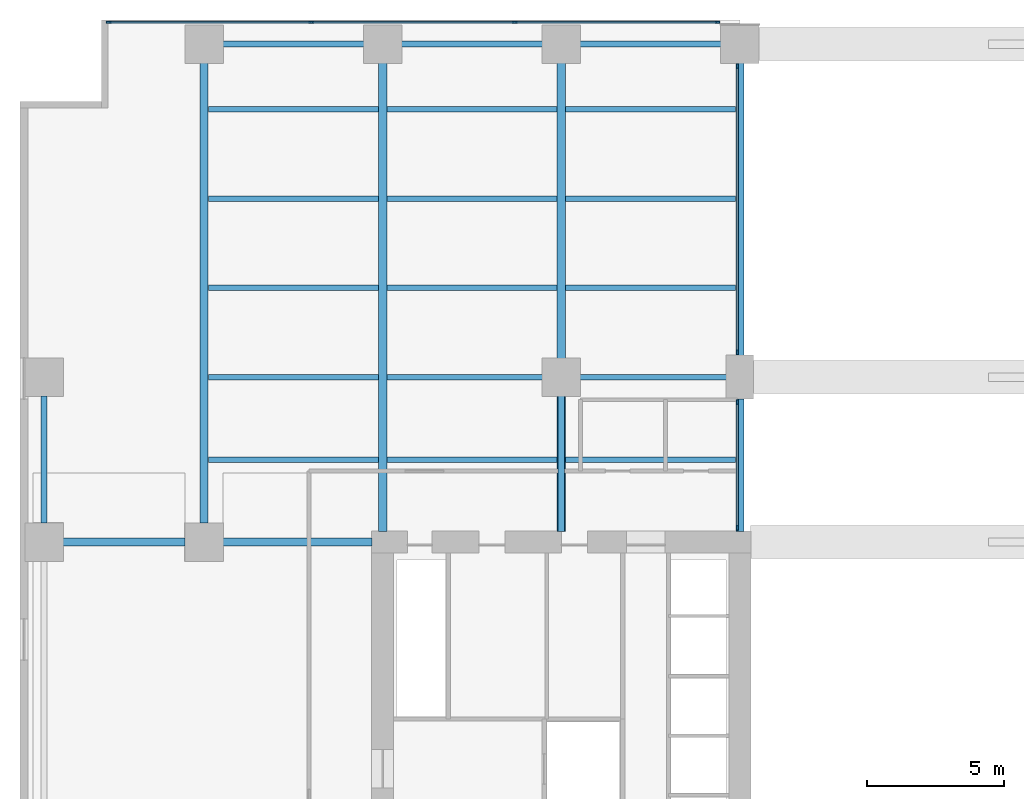
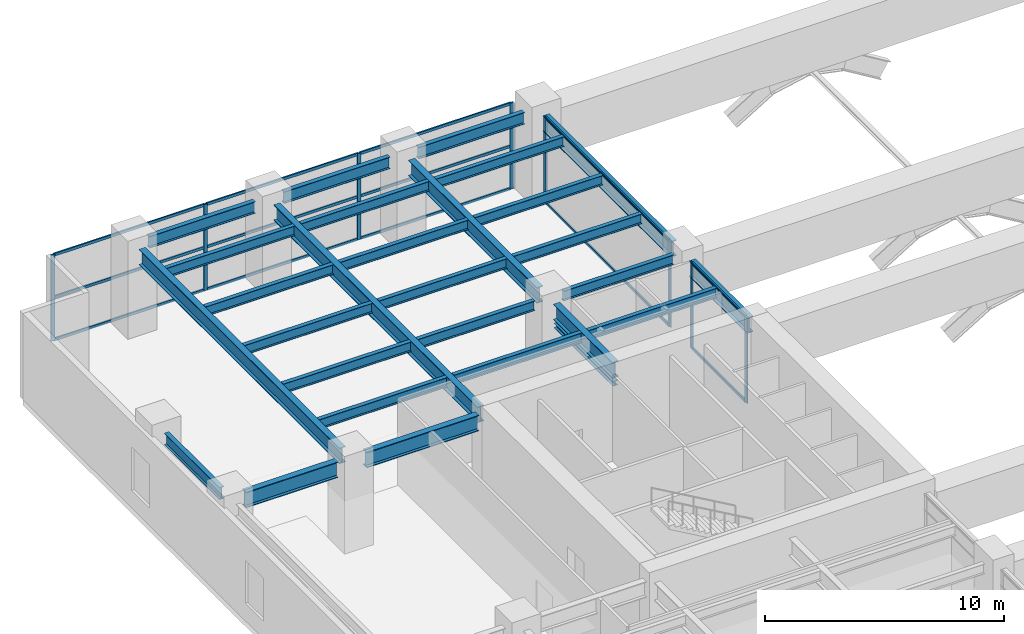
# One storey, part 6 of 23: 28 beams, 21 members, 3 elements without a shape of their own.
"""IFC4 building model written with IfcOpenShell, lengths in metres."""

from ifc_helpers import new_model, si_unit, direction, frame, origin, origin_2d, place, context, subcontext, project, spatial, rectangle, i_section, extrude, material, layer, layer_set, material_profile, profile_set, type_object, element, aggregate, save


model = new_model("IFC4")

# Units and contexts
model_context = context("Model", 3, precision=1e-05, world=origin(), true_north=direction((0.0, 1.0)))
body_context = subcontext(model_context, "Body", "Model", "MODEL_VIEW")
ifc_project = project(units=[si_unit("LENGTHUNIT", "METRE"), si_unit("AREAUNIT", "SQUARE_METRE"), si_unit("VOLUMEUNIT", "CUBIC_METRE"), si_unit("PLANEANGLEUNIT", "RADIAN"), si_unit("MASSUNIT", "GRAM", prefix="KILO")], contexts=[model_context])

# Site, building, storey
site_placement = place(None, origin())
site = spatial("IfcSite", under=ifc_project, at=site_placement, CompositionType="ELEMENT")
building_placement = place(site_placement, origin())
building = spatial("IfcBuilding", under=site, at=building_placement, Name="Putna Gate Headquarters", CompositionType="ELEMENT")
storey_placement = place(building_placement, frame((0.0, 0.0, 17.0)))
storey = spatial("IfcBuildingStorey", under=building, at=storey_placement, Name="L03", CompositionType="ELEMENT", Elevation=17.0)

# Beams
ifc_material_1 = material(Name="Steel S355J2", Category="steel")
ifc_material_profile_1 = material_profile(ifc_material_1, i_section(OverallWidth=0.300048828125, OverallDepth=0.800048828125, WebThickness=0.017578125, FlangeThickness=0.032958984375, at=origin_2d()), Name="Steel S355J2")
ifc_profile_set_1 = profile_set([ifc_material_profile_1], Name="Steel S355J2")
beam_type_1 = type_object("IfcBeamType", Name="BM-GIRD-P-HEB800", PredefinedType="USERDEFINED", material=ifc_profile_set_1)
beam_1_placement = place(storey_placement, frame((1.367919921875, 33.0, 4.0), z_axis=(1.0, 0.0, 0.0), x_axis=(0.0, 1.0, 0.0)))
element("IfcBeam", 1, at=beam_1_placement, inside=storey, type_object=beam_type_1, Name="L03 West Wing Girder Y33-1", ObjectType="GIRDER", PredefinedType="USERDEFINED", context=body_context, shape_type="SweptSolid", body=[
    extrude(i_section(OverallWidth=0.300048828125, OverallDepth=0.800048828125, WebThickness=0.017578125, FlangeThickness=0.032958984375, at=origin_2d()), origin(), (0.0, 0.0, 1.0), 4.444091796875),
])
beam_2_placement = place(storey_placement, frame((7.18798828125, 33.0, 4.0), z_axis=(1.0, 0.0, 0.0), x_axis=(0.0, 1.0, 0.0)))
element("IfcBeam", 2, at=beam_2_placement, inside=storey, type_object=beam_type_1, Name="L03 West Wing Girder Y33-2", ObjectType="GIRDER", PredefinedType="USERDEFINED", context=body_context, shape_type="SweptSolid", body=[
    extrude(i_section(OverallWidth=0.300048828125, OverallDepth=0.800048828125, WebThickness=0.017578125, FlangeThickness=0.032958984375, at=origin_2d()), origin(), (0.0, 0.0, 1.0), 5.427001953125),
])
beam_3_placement = place(storey_placement, frame((6.5, 33.68798828125, 4.0), z_axis=(0.0, 1.0, 0.0), x_axis=(-1.0, 0.0, 0.0)))
element("IfcBeam", 3, at=beam_3_placement, inside=storey, type_object=beam_type_1, Name="L03 North Primary Girder X6", ObjectType="GIRDER", PredefinedType="USERDEFINED", context=body_context, shape_type="SweptSolid", body=[
    extrude(i_section(OverallWidth=0.300048828125, OverallDepth=0.800048828125, WebThickness=0.017578125, FlangeThickness=0.032958984375, at=origin_2d()), origin(), (0.0, 0.0, 1.0), 16.743896484375),
])
beam_4_placement = place(storey_placement, frame((13.0, 33.385009765625, 4.0), z_axis=(0.0, 1.0, 0.0), x_axis=(-1.0, 0.0, 0.0)))
element("IfcBeam", 4, at=beam_4_placement, inside=storey, type_object=beam_type_1, Name="L03 North Primary Girder X13", ObjectType="GIRDER", PredefinedType="USERDEFINED", context=body_context, shape_type="SweptSolid", body=[
    extrude(i_section(OverallWidth=0.300048828125, OverallDepth=0.800048828125, WebThickness=0.017578125, FlangeThickness=0.032958984375, at=origin_2d()), origin(), (0.0, 0.0, 1.0), 17.046875),
])
beam_5_placement = place(storey_placement, frame((19.5, 33.385009765625, 4.0), z_axis=(0.0, 1.0, 0.0), x_axis=(-1.0, 0.0, 0.0)))
element("IfcBeam", 5, at=beam_5_placement, inside=storey, type_object=beam_type_1, Name="L03 North Primary Girder X19-1", ObjectType="GIRDER", PredefinedType="USERDEFINED", context=body_context, shape_type="SweptSolid", body=[
    extrude(i_section(OverallWidth=0.300048828125, OverallDepth=0.800048828125, WebThickness=0.017578125, FlangeThickness=0.032958984375, at=origin_2d()), origin(), (0.0, 0.0, 1.0), 4.927001953125),
])
beam_6_placement = place(storey_placement, frame((19.5, 39.68798828125, 4.0), z_axis=(0.0, 1.0, 0.0), x_axis=(-1.0, 0.0, 0.0)))
element("IfcBeam", 6, at=beam_6_placement, inside=storey, type_object=beam_type_1, Name="L03 North Primary Girder X19-2", ObjectType="GIRDER", PredefinedType="USERDEFINED", context=body_context, shape_type="SweptSolid", body=[
    extrude(i_section(OverallWidth=0.300048828125, OverallDepth=0.800048828125, WebThickness=0.017578125, FlangeThickness=0.032958984375, at=origin_2d()), origin(), (0.0, 0.0, 1.0), 10.743896484375),
])
beam_7_placement = place(storey_placement, frame((26.0, 33.385009765625, 4.0), z_axis=(0.0, 1.0, 0.0), x_axis=(-1.0, 0.0, 0.0)))
element("IfcBeam", 7, at=beam_7_placement, inside=storey, type_object=beam_type_1, Name="L03 North Primary Girder X26-1", ObjectType="GIRDER", PredefinedType="USERDEFINED", context=body_context, shape_type="SweptSolid", body=[
    extrude(i_section(OverallWidth=0.300048828125, OverallDepth=0.800048828125, WebThickness=0.017578125, FlangeThickness=0.032958984375, at=origin_2d()), origin(), (0.0, 0.0, 1.0), 4.826904296875),
])
beam_8_placement = place(storey_placement, frame((26.0, 39.7880859375, 4.0), z_axis=(0.0, 1.0, 0.0), x_axis=(-1.0, 0.0, 0.0)))
element("IfcBeam", 8, at=beam_8_placement, inside=storey, type_object=beam_type_1, Name="L03 North Primary Girder X26-2", ObjectType="GIRDER", PredefinedType="USERDEFINED", context=body_context, shape_type="SweptSolid", body=[
    extrude(i_section(OverallWidth=0.300048828125, OverallDepth=0.800048828125, WebThickness=0.017578125, FlangeThickness=0.032958984375, at=origin_2d()), origin(), (0.0, 0.0, 1.0), 10.643798828125),
])
ifc_material_profile_2 = material_profile(ifc_material_1, i_section(OverallWidth=0.239990234375, OverallDepth=0.239990234375, WebThickness=0.010009765625, FlangeThickness=0.01708984375, at=origin_2d()), Name="Steel S355J2")
ifc_profile_set_2 = profile_set([ifc_material_profile_2], Name="Steel S355J2")
beam_type_2 = type_object("IfcBeamType", Name="BM-LINTEL-HEB240", PredefinedType="LINTEL", material=ifc_profile_set_2)
beam_9_placement = place(storey_placement, frame((19.5, 33.3798828125, 3.300048828125), z_axis=(0.0, 1.0, 0.0), x_axis=(-1.0, 0.0, 0.0)))
element("IfcBeam", 9, at=beam_9_placement, inside=storey, type_object=beam_type_2, Name="L03 Core Spine Portal Header Lintel W", PredefinedType="LINTEL", context=body_context, shape_type="SweptSolid", body=[
    extrude(i_section(OverallWidth=0.239990234375, OverallDepth=0.239990234375, WebThickness=0.010009765625, FlangeThickness=0.01708984375, at=origin_2d()), origin(), (0.0, 0.0, 1.0), 4.940185546875),
])
ifc_material_profile_3 = material_profile(ifc_material_1, i_section(OverallWidth=0.199951171875, OverallDepth=0.5, WebThickness=0.01025390625, FlangeThickness=0.01611328125, at=origin_2d()), Name="Steel S355J2")
ifc_profile_set_3 = profile_set([ifc_material_profile_3], Name="Steel S355J2")
beam_type_3 = type_object("IfcBeamType", Name="BM-SEC-P-IPE500", PredefinedType="BEAM", material=ifc_profile_set_3)
for number, where, z_axis, x_axis, name in (
    (10, (6.654052734375, 36.0, 4.14990234375), (1.0, 0.0, 0.0), (0.0, 1.0, 0.0), "L03 North Secondary Beam 1"),
    (11, (6.654052734375, 39.0, 4.14990234375), (1.0, 0.0, 0.0), (0.0, 1.0, 0.0), "L03 North Secondary Beam 1"),
    (12, (6.654052734375, 42.25, 4.14990234375), (1.0, 0.0, 0.0), (0.0, 1.0, 0.0), "L03 North Secondary Beam 1"),
    (13, (6.654052734375, 45.5, 4.14990234375), (1.0, 0.0, 0.0), (0.0, 1.0, 0.0), "L03 North Secondary Beam 1"),
    (14, (6.654052734375, 48.75, 4.14990234375), (1.0, 0.0, 0.0), (0.0, 1.0, 0.0), "L03 North Secondary Beam 1"),
    (15, (13.154052734375, 36.0, 4.14990234375), (1.0, 0.0, 0.0), (0.0, 1.0, 0.0), "L03 North Secondary Beam 2"),
):
    element("IfcBeam", number, at=place(storey_placement, frame(where, z_axis=z_axis, x_axis=x_axis)), inside=storey, type_object=beam_type_3, Name=name, PredefinedType="BEAM", context=body_context, shape_type="SweptSolid", body=[
        extrude(i_section(OverallWidth=0.199951171875, OverallDepth=0.5, WebThickness=0.01025390625, FlangeThickness=0.01611328125, at=origin_2d()), origin(), (0.0, 0.0, 1.0), 6.19189453125),
    ])
beam_10_placement = place(storey_placement, frame((13.154052734375, 39.0, 4.14990234375), z_axis=(1.0, 0.0, 0.0), x_axis=(0.0, 1.0, 0.0)))
element("IfcBeam", 16, at=beam_10_placement, inside=storey, type_object=beam_type_3, Name="L03 North Secondary Beam 2", PredefinedType="BEAM", context=body_context, shape_type="SweptSolid", body=[
    extrude(i_section(OverallWidth=0.199951171875, OverallDepth=0.5, WebThickness=0.01025390625, FlangeThickness=0.01611328125, at=origin_2d()), origin(), (0.0, 0.0, 1.0), 5.657958984375),
])
for number, where, z_axis, x_axis, name in (
    (17, (13.154052734375, 42.25, 4.14990234375), (1.0, 0.0, 0.0), (0.0, 1.0, 0.0), "L03 North Secondary Beam 2"),
    (18, (13.154052734375, 45.5, 4.14990234375), (1.0, 0.0, 0.0), (0.0, 1.0, 0.0), "L03 North Secondary Beam 2"),
    (19, (13.154052734375, 48.75, 4.14990234375), (1.0, 0.0, 0.0), (0.0, 1.0, 0.0), "L03 North Secondary Beam 2"),
    (20, (19.654052734375, 36.0, 4.14990234375), (1.0, 0.0, 0.0), (0.0, 1.0, 0.0), "L03 North Secondary Beam 3"),
):
    element("IfcBeam", number, at=place(storey_placement, frame(where, z_axis=z_axis, x_axis=x_axis)), inside=storey, type_object=beam_type_3, Name=name, PredefinedType="BEAM", context=body_context, shape_type="SweptSolid", body=[
        extrude(i_section(OverallWidth=0.199951171875, OverallDepth=0.5, WebThickness=0.01025390625, FlangeThickness=0.01611328125, at=origin_2d()), origin(), (0.0, 0.0, 1.0), 6.19189453125),
    ])
beam_11_placement = place(storey_placement, frame((20.18798828125, 39.0, 4.14990234375), z_axis=(1.0, 0.0, 0.0), x_axis=(0.0, 1.0, 0.0)))
element("IfcBeam", 21, at=beam_11_placement, inside=storey, type_object=beam_type_3, Name="L03 North Secondary Beam 3", PredefinedType="BEAM", context=body_context, shape_type="SweptSolid", body=[
    extrude(i_section(OverallWidth=0.199951171875, OverallDepth=0.5, WebThickness=0.01025390625, FlangeThickness=0.01611328125, at=origin_2d()), origin(), (0.0, 0.0, 1.0), 5.323974609375),
])
for number, where, z_axis, x_axis, name in (
    (22, (19.654052734375, 42.25, 4.14990234375), (1.0, 0.0, 0.0), (0.0, 1.0, 0.0), "L03 North Secondary Beam 3"),
    (23, (19.654052734375, 45.5, 4.14990234375), (1.0, 0.0, 0.0), (0.0, 1.0, 0.0), "L03 North Secondary Beam 3"),
    (24, (19.654052734375, 48.75, 4.14990234375), (1.0, 0.0, 0.0), (0.0, 1.0, 0.0), "L03 North Secondary Beam 3"),
):
    element("IfcBeam", number, at=place(storey_placement, frame(where, z_axis=z_axis, x_axis=x_axis)), inside=storey, type_object=beam_type_3, Name=name, PredefinedType="BEAM", context=body_context, shape_type="SweptSolid", body=[
        extrude(i_section(OverallWidth=0.199951171875, OverallDepth=0.5, WebThickness=0.01025390625, FlangeThickness=0.01611328125, at=origin_2d()), origin(), (0.0, 0.0, 1.0), 6.19189453125),
    ])
ifc_material_profile_4 = material_profile(ifc_material_1, i_section(OverallWidth=0.219970703125, OverallDepth=0.60009765625, WebThickness=0.011962890625, FlangeThickness=0.01904296875, at=origin_2d()), Name="Steel S355J2")
ifc_profile_set_4 = profile_set([ifc_material_profile_4], Name="Steel S355J2")
beam_type_4 = type_object("IfcBeamType", Name="BM-SPAN-P-IPE600", PredefinedType="SPANDREL", material=ifc_profile_set_4)
for number, where, z_axis, x_axis, name in (
    (25, (7.18798828125, 51.1201171875, 4.10009765625), (1.0, 0.0, 0.0), (0.0, 1.0, 0.0), "L03 N Perimeter Spandrel 1"),
    (26, (13.68798828125, 51.1201171875, 4.10009765625), (1.0, 0.0, 0.0), (0.0, 1.0, 0.0), "L03 N Perimeter Spandrel 2"),
    (27, (20.18798828125, 51.1201171875, 4.10009765625), (1.0, 0.0, 0.0), (0.0, 1.0, 0.0), "L03 N Perimeter Spandrel 3"),
):
    element("IfcBeam", number, at=place(storey_placement, frame(where, z_axis=z_axis, x_axis=x_axis)), inside=storey, type_object=beam_type_4, Name=name, PredefinedType="SPANDREL", context=body_context, shape_type="SweptSolid", body=[
        extrude(i_section(OverallWidth=0.219970703125, OverallDepth=0.60009765625, WebThickness=0.011962890625, FlangeThickness=0.01904296875, at=origin_2d()), origin(), (0.0, 0.0, 1.0), 5.1240234375),
    ])
beam_12_placement = place(storey_placement, frame((0.679931640625, 33.68798828125, 4.10009765625), z_axis=(0.0, 1.0, 0.0), x_axis=(-1.0, 0.0, 0.0)))
element("IfcBeam", 28, at=beam_12_placement, inside=storey, type_object=beam_type_4, Name="L03 W End Spandrel 3", PredefinedType="SPANDREL", context=body_context, shape_type="SweptSolid", body=[
    extrude(i_section(OverallWidth=0.219970703125, OverallDepth=0.60009765625, WebThickness=0.011962890625, FlangeThickness=0.01904296875, at=origin_2d()), origin(), (0.0, 0.0, 1.0), 4.6240234375),
])

# Curtain wall, members
ifc_material_2 = material(Name="Anodised bronze aluminium curtain wall", Category="aluminium")
ifc_layer_1 = layer(ifc_material_2, 0.179931640625)
ifc_layer_set_1 = layer_set([ifc_layer_1], Name="Anodised bronze aluminium curtain wall")
curtain_wall_type_1 = type_object("IfcCurtainWallType", Name="CW-SYS-ATR", PredefinedType="USERDEFINED", material=ifc_layer_set_1)
curtain_wall_1_placement = place(storey_placement, origin())
curtain_wall_1 = element("IfcCurtainWall", 29, at=curtain_wall_1_placement, inside=storey, type_object=curtain_wall_type_1, Name="L03 Arch Flank Glazing W-N1", ObjectType="ATRIUM GLAZING", PredefinedType="USERDEFINED")
ifc_material_3 = material(Name="Anodised bronze aluminium EN AW-6060", Category="aluminium")
ifc_material_profile_5 = material_profile(ifc_material_3, rectangle(XDim=0.070068359375, YDim=0.179931640625, at=origin_2d()), Name="Anodised bronze aluminium EN AW-6060")
ifc_profile_set_5 = profile_set([ifc_material_profile_5], Name="Anodised bronze aluminium EN AW-6060")
member_type_1 = type_object("IfcMemberType", Name="MULL-CWM-AT", PredefinedType="MULLION", material=ifc_profile_set_5)
member_1_placement = place(storey_placement, frame((25.89990234375, 33.514892578125, 0.0), z_axis=(0.0, 0.0, 1.0), x_axis=(-1.0, 0.0, 0.0)))
member_1 = element("IfcMember", 30, at=member_1_placement, type_object=member_type_1, Name="CWS-AT mullion 1", PredefinedType="MULLION", context=body_context, shape_type="SweptSolid", body=[
    extrude(rectangle(XDim=0.070068359375, YDim=0.179931640625, at=origin_2d()), origin(), (0.0, 0.0, 1.0), 4.39990234375),
])
member_2_placement = place(storey_placement, frame((25.89990234375, 38.0849609375, 0.0), z_axis=(0.0, 0.0, 1.0), x_axis=(-1.0, 0.0, 0.0)))
member_2 = element("IfcMember", 31, at=member_2_placement, type_object=member_type_1, Name="CWS-AT mullion 2", PredefinedType="MULLION", context=body_context, shape_type="SweptSolid", body=[
    extrude(rectangle(XDim=0.070068359375, YDim=0.179931640625, at=origin_2d()), origin(), (0.0, 0.0, 1.0), 4.39990234375),
])

curtain_wall_2_placement = place(storey_placement, origin())
curtain_wall_2 = element("IfcCurtainWall", 32, at=curtain_wall_2_placement, inside=storey, type_object=curtain_wall_type_1, Name="L03 Arch Flank Glazing W-N2", ObjectType="ATRIUM GLAZING", PredefinedType="USERDEFINED")
member_3_placement = place(storey_placement, frame((25.89990234375, 39.9150390625, 0.0), z_axis=(0.0, 0.0, 1.0), x_axis=(-1.0, 0.0, 0.0)))
member_3 = element("IfcMember", 33, at=member_3_placement, type_object=member_type_1, Name="CWS-AT mullion 1", PredefinedType="MULLION", context=body_context, shape_type="SweptSolid", body=[
    extrude(rectangle(XDim=0.070068359375, YDim=0.179931640625, at=origin_2d()), origin(), (0.0, 0.0, 1.0), 4.39990234375),
])
member_4_placement = place(storey_placement, frame((25.89990234375, 50.31494140625, 0.0), z_axis=(0.0, 0.0, 1.0), x_axis=(-1.0, 0.0, 0.0)))
member_4 = element("IfcMember", 34, at=member_4_placement, type_object=member_type_1, Name="CWS-AT mullion 2", PredefinedType="MULLION", context=body_context, shape_type="SweptSolid", body=[
    extrude(rectangle(XDim=0.070068359375, YDim=0.179931640625, at=origin_2d()), origin(), (0.0, 0.0, 1.0), 4.39990234375),
])

ifc_layer_2 = layer(ifc_material_2, 0.179931640625)
ifc_layer_set_2 = layer_set([ifc_layer_2], Name="Anodised bronze aluminium curtain wall")
curtain_wall_type_2 = type_object("IfcCurtainWallType", Name="CW-SYS-POD", PredefinedType="USERDEFINED", material=ifc_layer_set_2)
curtain_wall_3_placement = place(storey_placement, origin())
curtain_wall_3 = element("IfcCurtainWall", 35, at=curtain_wall_3_placement, inside=storey, type_object=curtain_wall_type_2, Name="L03 North West Curtain Wall", ObjectType="STICK CURTAIN WALL", PredefinedType="USERDEFINED")
ifc_material_profile_6 = material_profile(ifc_material_3, rectangle(XDim=0.070068359375, YDim=0.179931640625, at=origin_2d()), Name="Anodised bronze aluminium EN AW-6060")
ifc_profile_set_6 = profile_set([ifc_material_profile_6], Name="Anodised bronze aluminium EN AW-6060")
member_type_2 = type_object("IfcMemberType", Name="MULL-CWM-P", PredefinedType="MULLION", material=ifc_profile_set_6)
member_5_placement = place(storey_placement, frame((3.034912109375, 51.919921875, 0.0), z_axis=(0.0, 0.0, 1.0), x_axis=(0.0, 1.0, 0.0)))
member_5 = element("IfcMember", 36, at=member_5_placement, type_object=member_type_2, Name="CWS-P mullion 1", PredefinedType="MULLION", context=body_context, shape_type="SweptSolid", body=[
    extrude(rectangle(XDim=0.070068359375, YDim=0.179931640625, at=origin_2d()), origin(), (0.0, 0.0, 1.0), 4.39990234375),
])
member_6_placement = place(storey_placement, frame((10.40673828125, 51.919921875, 0.0), z_axis=(0.0, 0.0, 1.0), x_axis=(0.0, 1.0, 0.0)))
member_6 = element("IfcMember", 37, at=member_6_placement, type_object=member_type_2, Name="CWS-P mullion 2", PredefinedType="MULLION", context=body_context, shape_type="SweptSolid", body=[
    extrude(rectangle(XDim=0.070068359375, YDim=0.179931640625, at=origin_2d()), origin(), (0.0, 0.0, 1.0), 4.39990234375),
])
member_7_placement = place(storey_placement, frame((17.813232421875, 51.919921875, 0.0), z_axis=(0.0, 0.0, 1.0), x_axis=(0.0, 1.0, 0.0)))
member_7 = element("IfcMember", 38, at=member_7_placement, type_object=member_type_2, Name="CWS-P mullion 3", PredefinedType="MULLION", context=body_context, shape_type="SweptSolid", body=[
    extrude(rectangle(XDim=0.070068359375, YDim=0.179931640625, at=origin_2d()), origin(), (0.0, 0.0, 1.0), 4.39990234375),
])
member_8_placement = place(storey_placement, frame((25.18505859375, 51.919921875, 0.0), z_axis=(0.0, 0.0, 1.0), x_axis=(0.0, 1.0, 0.0)))
member_8 = element("IfcMember", 39, at=member_8_placement, type_object=member_type_2, Name="CWS-P mullion 4", PredefinedType="MULLION", context=body_context, shape_type="SweptSolid", body=[
    extrude(rectangle(XDim=0.070068359375, YDim=0.179931640625, at=origin_2d()), origin(), (0.0, 0.0, 1.0), 4.39990234375),
])

# Member
ifc_material_profile_7 = material_profile(ifc_material_3, rectangle(XDim=0.070068359375, YDim=0.139892578125, at=origin_2d()), Name="Anodised bronze aluminium EN AW-6060")
ifc_profile_set_7 = profile_set([ifc_material_profile_7], Name="Anodised bronze aluminium EN AW-6060")
member_type_3 = type_object("IfcMemberType", Name="TRAN-CWT-AT", PredefinedType="USERDEFINED", material=ifc_profile_set_7)
member_9_placement = place(storey_placement, frame((25.89990234375, 33.550048828125, 0.034912109375), z_axis=(0.0, 1.0, 0.0), x_axis=(-1.0, 0.0, 0.0)))
member_9 = element("IfcMember", 40, at=member_9_placement, type_object=member_type_3, Name="CWS-AT transom 1.1", ObjectType="TRANSOM", PredefinedType="USERDEFINED", context=body_context, shape_type="SweptSolid", body=[
    extrude(rectangle(XDim=0.070068359375, YDim=0.139892578125, at=origin_2d()), origin(), (0.0, 0.0, 1.0), 4.5),
])

member_10_placement = place(storey_placement, frame((25.89990234375, 33.550048828125, 4.364990234375), z_axis=(0.0, 1.0, 0.0), x_axis=(-1.0, 0.0, 0.0)))
member_10 = element("IfcMember", 41, at=member_10_placement, type_object=member_type_3, Name="CWS-AT transom 1.2", ObjectType="TRANSOM", PredefinedType="USERDEFINED", context=body_context, shape_type="SweptSolid", body=[
    extrude(rectangle(XDim=0.070068359375, YDim=0.139892578125, at=origin_2d()), origin(), (0.0, 0.0, 1.0), 4.5),
])

aggregate(curtain_wall_1, [member_1, member_2, member_9, member_10])

member_11_placement = place(storey_placement, frame((25.89990234375, 39.949951171875, 0.034912109375), z_axis=(0.0, 1.0, 0.0), x_axis=(-1.0, 0.0, 0.0)))
member_11 = element("IfcMember", 42, at=member_11_placement, type_object=member_type_3, Name="CWS-AT transom 1.1", ObjectType="TRANSOM", PredefinedType="USERDEFINED", context=body_context, shape_type="SweptSolid", body=[
    extrude(rectangle(XDim=0.070068359375, YDim=0.139892578125, at=origin_2d()), origin(), (0.0, 0.0, 1.0), 10.330078125),
])

member_12_placement = place(storey_placement, frame((25.89990234375, 39.949951171875, 4.364990234375), z_axis=(0.0, 1.0, 0.0), x_axis=(-1.0, 0.0, 0.0)))
member_12 = element("IfcMember", 43, at=member_12_placement, type_object=member_type_3, Name="CWS-AT transom 1.2", ObjectType="TRANSOM", PredefinedType="USERDEFINED", context=body_context, shape_type="SweptSolid", body=[
    extrude(rectangle(XDim=0.070068359375, YDim=0.139892578125, at=origin_2d()), origin(), (0.0, 0.0, 1.0), 10.330078125),
])

aggregate(curtain_wall_2, [member_3, member_4, member_11, member_12])

ifc_material_profile_8 = material_profile(ifc_material_3, rectangle(XDim=0.070068359375, YDim=0.139892578125, at=origin_2d()), Name="Anodised bronze aluminium EN AW-6060")
ifc_profile_set_8 = profile_set([ifc_material_profile_8], Name="Anodised bronze aluminium EN AW-6060")
member_type_4 = type_object("IfcMemberType", Name="TRAN-CWT-P", PredefinedType="USERDEFINED", material=ifc_profile_set_8)
member_13_placement = place(storey_placement, frame((3.070068359375, 51.919921875, 0.034912109375), z_axis=(1.0, 0.0, 0.0), x_axis=(0.0, 1.0, 0.0)))
member_13 = element("IfcMember", 44, at=member_13_placement, type_object=member_type_4, Name="CWS-P transom 1.1", ObjectType="TRANSOM", PredefinedType="USERDEFINED", context=body_context, shape_type="SweptSolid", body=[
    extrude(rectangle(XDim=0.070068359375, YDim=0.139892578125, at=origin_2d()), origin(), (0.0, 0.0, 1.0), 7.301513671875),
])

member_14_placement = place(storey_placement, frame((3.070068359375, 51.919921875, 2.199951171875), z_axis=(1.0, 0.0, 0.0), x_axis=(0.0, 1.0, 0.0)))
member_14 = element("IfcMember", 45, at=member_14_placement, type_object=member_type_4, Name="CWS-P transom 1.2", ObjectType="TRANSOM", PredefinedType="USERDEFINED", context=body_context, shape_type="SweptSolid", body=[
    extrude(rectangle(XDim=0.070068359375, YDim=0.139892578125, at=origin_2d()), origin(), (0.0, 0.0, 1.0), 7.301513671875),
])

member_15_placement = place(storey_placement, frame((3.070068359375, 51.919921875, 4.364990234375), z_axis=(1.0, 0.0, 0.0), x_axis=(0.0, 1.0, 0.0)))
member_15 = element("IfcMember", 46, at=member_15_placement, type_object=member_type_4, Name="CWS-P transom 1.3", ObjectType="TRANSOM", PredefinedType="USERDEFINED", context=body_context, shape_type="SweptSolid", body=[
    extrude(rectangle(XDim=0.070068359375, YDim=0.139892578125, at=origin_2d()), origin(), (0.0, 0.0, 1.0), 7.301513671875),
])

member_16_placement = place(storey_placement, frame((10.441650390625, 51.919921875, 0.034912109375), z_axis=(1.0, 0.0, 0.0), x_axis=(0.0, 1.0, 0.0)))
member_16 = element("IfcMember", 47, at=member_16_placement, type_object=member_type_4, Name="CWS-P transom 2.1", ObjectType="TRANSOM", PredefinedType="USERDEFINED", context=body_context, shape_type="SweptSolid", body=[
    extrude(rectangle(XDim=0.070068359375, YDim=0.139892578125, at=origin_2d()), origin(), (0.0, 0.0, 1.0), 7.336669921875),
])

member_17_placement = place(storey_placement, frame((10.441650390625, 51.919921875, 2.199951171875), z_axis=(1.0, 0.0, 0.0), x_axis=(0.0, 1.0, 0.0)))
member_17 = element("IfcMember", 48, at=member_17_placement, type_object=member_type_4, Name="CWS-P transom 2.2", ObjectType="TRANSOM", PredefinedType="USERDEFINED", context=body_context, shape_type="SweptSolid", body=[
    extrude(rectangle(XDim=0.070068359375, YDim=0.139892578125, at=origin_2d()), origin(), (0.0, 0.0, 1.0), 7.336669921875),
])

member_18_placement = place(storey_placement, frame((10.441650390625, 51.919921875, 4.364990234375), z_axis=(1.0, 0.0, 0.0), x_axis=(0.0, 1.0, 0.0)))
member_18 = element("IfcMember", 49, at=member_18_placement, type_object=member_type_4, Name="CWS-P transom 2.3", ObjectType="TRANSOM", PredefinedType="USERDEFINED", context=body_context, shape_type="SweptSolid", body=[
    extrude(rectangle(XDim=0.070068359375, YDim=0.139892578125, at=origin_2d()), origin(), (0.0, 0.0, 1.0), 7.336669921875),
])

member_19_placement = place(storey_placement, frame((17.848388671875, 51.919921875, 0.034912109375), z_axis=(1.0, 0.0, 0.0), x_axis=(0.0, 1.0, 0.0)))
member_19 = element("IfcMember", 50, at=member_19_placement, type_object=member_type_4, Name="CWS-P transom 3.1", ObjectType="TRANSOM", PredefinedType="USERDEFINED", context=body_context, shape_type="SweptSolid", body=[
    extrude(rectangle(XDim=0.070068359375, YDim=0.139892578125, at=origin_2d()), origin(), (0.0, 0.0, 1.0), 7.301513671875),
])

member_20_placement = place(storey_placement, frame((17.848388671875, 51.919921875, 2.199951171875), z_axis=(1.0, 0.0, 0.0), x_axis=(0.0, 1.0, 0.0)))
member_20 = element("IfcMember", 51, at=member_20_placement, type_object=member_type_4, Name="CWS-P transom 3.2", ObjectType="TRANSOM", PredefinedType="USERDEFINED", context=body_context, shape_type="SweptSolid", body=[
    extrude(rectangle(XDim=0.070068359375, YDim=0.139892578125, at=origin_2d()), origin(), (0.0, 0.0, 1.0), 7.301513671875),
])

member_21_placement = place(storey_placement, frame((17.848388671875, 51.919921875, 4.364990234375), z_axis=(1.0, 0.0, 0.0), x_axis=(0.0, 1.0, 0.0)))
member_21 = element("IfcMember", 52, at=member_21_placement, type_object=member_type_4, Name="CWS-P transom 3.3", ObjectType="TRANSOM", PredefinedType="USERDEFINED", context=body_context, shape_type="SweptSolid", body=[
    extrude(rectangle(XDim=0.070068359375, YDim=0.139892578125, at=origin_2d()), origin(), (0.0, 0.0, 1.0), 7.301513671875),
])

aggregate(curtain_wall_3, [member_5, member_6, member_7, member_8, member_13, member_14, member_15, member_16, member_17, member_18, member_19, member_20, member_21])

save(model, "model.ifc")
